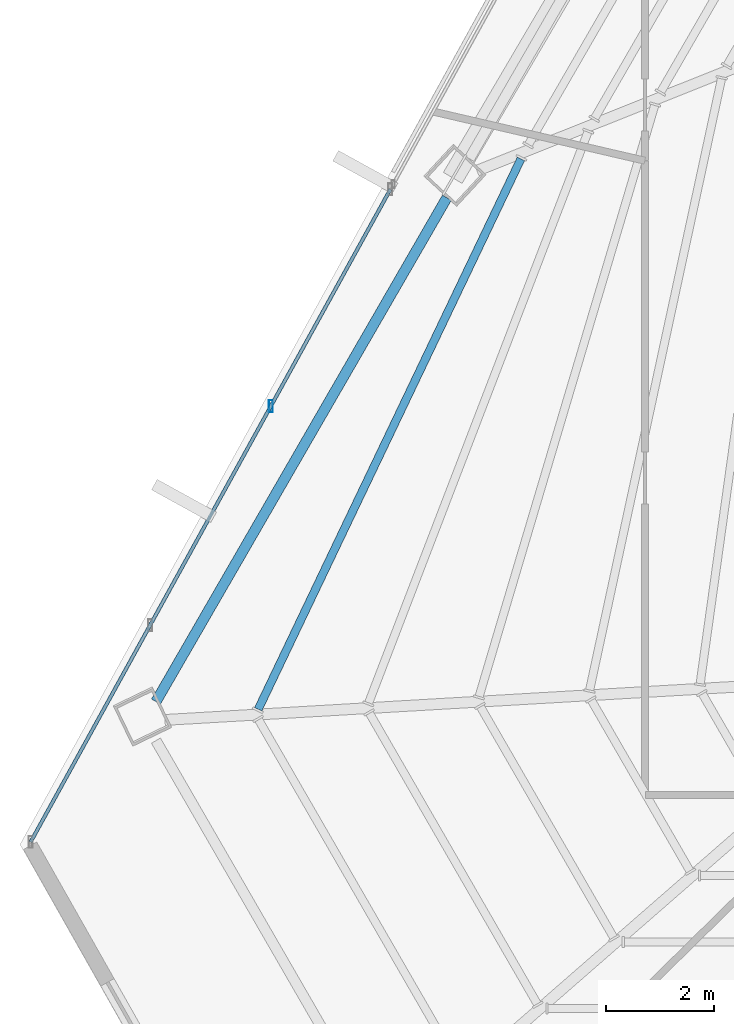
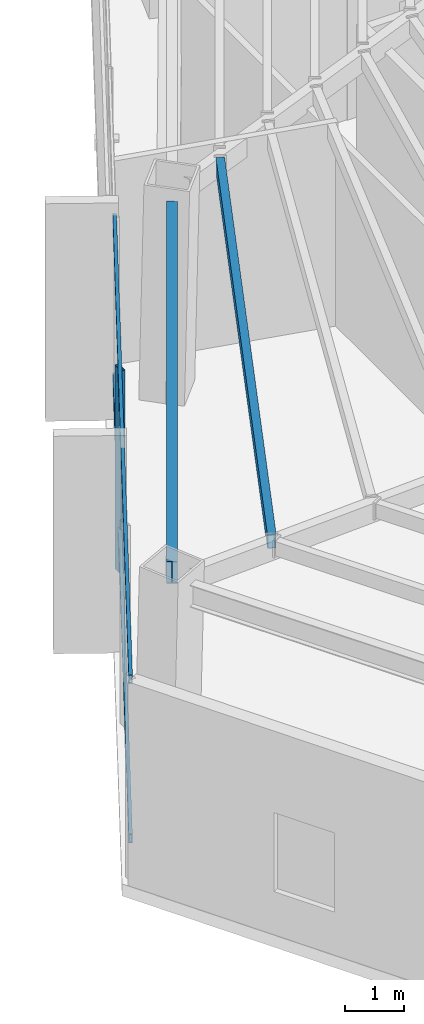
# One storey, part 5 of 37: 3 members, 2 beams, 1 element without a shape of its own.
"""IFC4 building model written with IfcOpenShell, lengths in metres."""

from ifc_helpers import new_model, si_unit, direction, frame, origin, origin_2d, place, context, subcontext, project, spatial, hollow_rectangle, i_section, extrude, source, transform, mapped, material, material_profile, profile_set, type_object, type_shapes, element, aggregate, save


model = new_model("IFC4")

# Units and contexts
model_context = context("Model", 3, precision=1e-05, world=origin(), true_north=direction((0.0, 1.0)))
body_context = subcontext(model_context, "Body", "Model", "MODEL_VIEW")
ifc_project = project(units=[si_unit("LENGTHUNIT", "METRE"), si_unit("AREAUNIT", "SQUARE_METRE"), si_unit("VOLUMEUNIT", "CUBIC_METRE"), si_unit("PLANEANGLEUNIT", "RADIAN"), si_unit("MASSUNIT", "GRAM", prefix="KILO")], contexts=[model_context])

# Site, building, storey
site_placement = place(None, origin())
site = spatial("IfcSite", under=ifc_project, at=site_placement, CompositionType="ELEMENT")
building_placement = place(site_placement, origin())
building = spatial("IfcBuilding", under=site, at=building_placement, Name="Caelisora Broadcast Tower", CompositionType="ELEMENT")
storey_placement = place(building_placement, frame((0.0, 0.0, 225.35009765625)))
storey = spatial("IfcBuildingStorey", under=building, at=storey_placement, Name="L59", CompositionType="ELEMENT", Elevation=225.35009765625)

# Beams
ifc_material_1 = material(Name="Steel Grade 350 (AS/NZS 3679.1)", Category="steel")
ifc_material_profile_1 = material_profile(ifc_material_1, i_section(OverallWidth=0.19091796875, OverallDepth=0.46044921875, WebThickness=0.010009765625, FlangeThickness=0.01611328125, at=origin_2d()), Name="Steel Grade 350 (AS/NZS 3679.1)")
ifc_profile_set_1 = profile_set([ifc_material_profile_1], Name="Steel Grade 350 (AS/NZS 3679.1)")
beam_type_1 = type_object("IfcBeamType", Name="PG06", PredefinedType="BEAM", material=ifc_profile_set_1)
shared_shape_1 = source(origin(), body_context, "Body", "SweptSolid", [
    extrude(i_section(OverallWidth=0.19091796875, OverallDepth=0.46044921875, WebThickness=0.010009765625, FlangeThickness=0.01611328125, at=origin_2d()), origin(), (0.0, 0.0, 1.0), 10.73876953125),
])
type_shapes(beam_type_1, [shared_shape_1])
beam_1_placement = place(storey_placement, frame((21.740966796875, 26.226318359375, 4.019775390625), z_axis=(-0.499999935134, -0.866025441235, 0.0), x_axis=(0.866025441235, -0.499999935134, 0.0)))
element("IfcBeam", 1, at=beam_1_placement, inside=storey, type_object=beam_type_1, Name="L59 beam PG06", PredefinedType="BEAM", context=body_context, shape_type="MappedRepresentation", body=[
    mapped(shared_shape_1, transform((0.0, 0.0, 0.0), scale=1.0)),
])
ifc_material_2 = material(Name="Steel Grade 350 (AS/NZS 1163 C350L0)", Category="steel")
ifc_material_profile_2 = material_profile(ifc_material_2, hollow_rectangle(XDim=0.14990234375, YDim=0.300048828125, WallThickness=0.010009765625, at=origin_2d()), Name="Steel Grade 350 (AS/NZS 1163 C350L0)")
ifc_profile_set_2 = profile_set([ifc_material_profile_2], Name="Steel Grade 350 (AS/NZS 1163 C350L0)")
beam_type_2 = type_object("IfcBeamType", Name="SB05", PredefinedType="JOIST", material=ifc_profile_set_2)
shared_shape_2 = source(origin(), body_context, "Body", "SweptSolid", [
    extrude(hollow_rectangle(XDim=0.14990234375, YDim=0.300048828125, WallThickness=0.010009765625, at=origin_2d()), origin(), (0.0, 0.0, 1.0), 11.256591796875),
])
type_shapes(beam_type_2, [shared_shape_2])
beam_2_placement = place(storey_placement, frame((23.1083984375, 26.944091796875, 4.099853515625), z_axis=(-0.430759295031, -0.902466857975, 0.0), x_axis=(0.902466857975, -0.430759295031, 0.0)))
element("IfcBeam", 2, at=beam_2_placement, inside=storey, type_object=beam_type_2, Name="L59 beam SB05", PredefinedType="JOIST", context=body_context, shape_type="MappedRepresentation", body=[
    mapped(shared_shape_2, transform((0.0, 0.0, 0.0), scale=1.0)),
])

# Curtain wall, members
ifc_material_3 = material(Name="Unitised Aluminium and Low-E Glass Curtain Wall", Category="glass")
curtain_wall_type = type_object("IfcCurtainWallType", Name="CW-SKY", PredefinedType="NOTDEFINED", material=ifc_material_3)
curtain_wall_placement = place(storey_placement, origin())
curtain_wall = element("IfcCurtainWall", 3, at=curtain_wall_placement, inside=storey, type_object=curtain_wall_type, Name="L59 curtain wall CW-SKY", PredefinedType="NOTDEFINED")
ifc_material_4 = material(Name="Aluminium 6063-T6 Anodised Terracotta Bronze", Category="aluminium")
ifc_material_profile_3 = material_profile(ifc_material_4, hollow_rectangle(XDim=0.074951171875, YDim=0.219970703125, WallThickness=0.00390625, at=origin_2d()), Name="Aluminium 6063-T6 Anodised Terracotta Bronze")
ifc_profile_set_3 = profile_set([ifc_material_profile_3], Name="Aluminium 6063-T6 Anodised Terracotta Bronze")
member_type_1 = type_object("IfcMemberType", Name="CWM-01", PredefinedType="MULLION", material=ifc_profile_set_3)
shared_shape_3 = source(origin(), body_context, "Body", "SweptSolid", [
    extrude(hollow_rectangle(XDim=0.074951171875, YDim=0.219970703125, WallThickness=0.00390625, at=origin_2d()), origin(), (0.0, 0.0, 1.0), 4.25),
])
type_shapes(member_type_1, [shared_shape_3])
member_1_placement = place(storey_placement, frame((18.4931640625, 22.380615234375, 0.0), z_axis=(0.0, 0.0, 1.0), x_axis=(1.0, 0.0, 0.0)))
member_1 = element("IfcMember", 4, at=member_1_placement, type_object=member_type_1, Name="L59-CW-B09 mullion #2", PredefinedType="MULLION", context=body_context, shape_type="MappedRepresentation", body=[
    mapped(shared_shape_3, transform((0.0, 0.0, 0.0), scale=1.0)),
])
ifc_material_profile_4 = material_profile(ifc_material_4, hollow_rectangle(XDim=0.06494140625, YDim=0.179931640625, WallThickness=0.00341796875, at=origin_2d()), Name="Aluminium 6063-T6 Anodised Terracotta Bronze")
ifc_profile_set_4 = profile_set([ifc_material_profile_4], Name="Aluminium 6063-T6 Anodised Terracotta Bronze")
member_type_2 = type_object("IfcMemberType", Name="CWT-01", PredefinedType="USERDEFINED", material=ifc_profile_set_4)
shared_shape_4 = source(origin(), body_context, "Body", "SweptSolid", [
    extrude(hollow_rectangle(XDim=0.06494140625, YDim=0.179931640625, WallThickness=0.00341796875, at=origin_2d()), origin(), (0.0, 0.0, 1.0), 13.755859375),
])
type_shapes(member_type_2, [shared_shape_4])
member_2_placement = place(storey_placement, frame((14.05810546875, 14.334716796875, 0.849853515625), z_axis=(0.482747003869, 0.875759858783, 0.0), x_axis=(-0.875759858783, 0.482747003869, 0.0)))
member_2 = element("IfcMember", 5, at=member_2_placement, type_object=member_type_2, Name="L59-CW-B09 transom #1", ObjectType="TRANSOM", PredefinedType="USERDEFINED", context=body_context, shape_type="MappedRepresentation", body=[
    mapped(shared_shape_4, transform((0.0, 0.0, 0.0), scale=1.0)),
])
member_3_placement = place(storey_placement, frame((14.05810546875, 14.334716796875, 4.169921875), z_axis=(0.482747003869, 0.875759858783, 0.0), x_axis=(-0.875759858783, 0.482747003869, 0.0)))
member_3 = element("IfcMember", 6, at=member_3_placement, type_object=member_type_2, Name="L59-CW-B09 transom #2", ObjectType="TRANSOM", PredefinedType="USERDEFINED", context=body_context, shape_type="MappedRepresentation", body=[
    mapped(shared_shape_4, transform((0.0, 0.0, 0.0), scale=1.0)),
])
aggregate(curtain_wall, [member_1, member_2, member_3])

save(model, "model.ifc")
